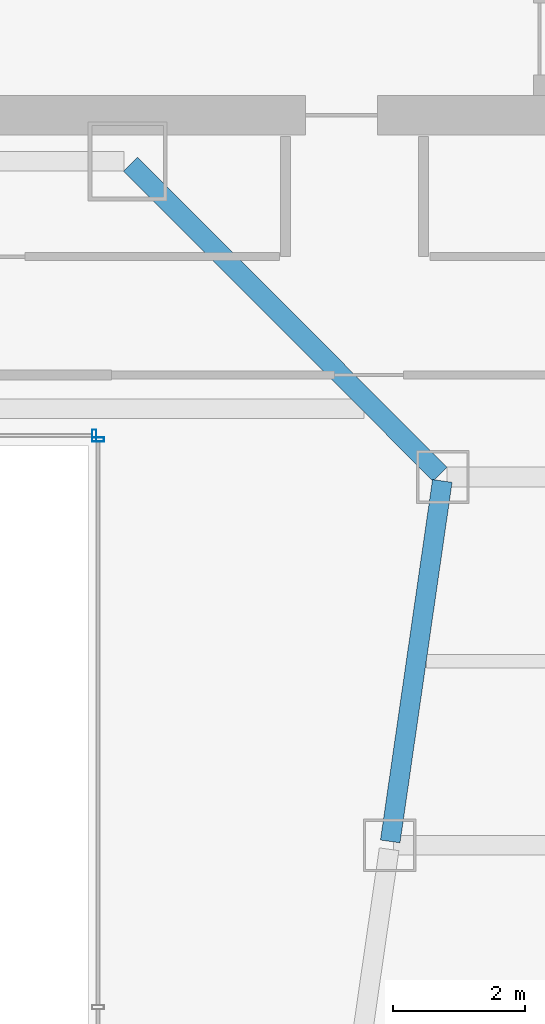
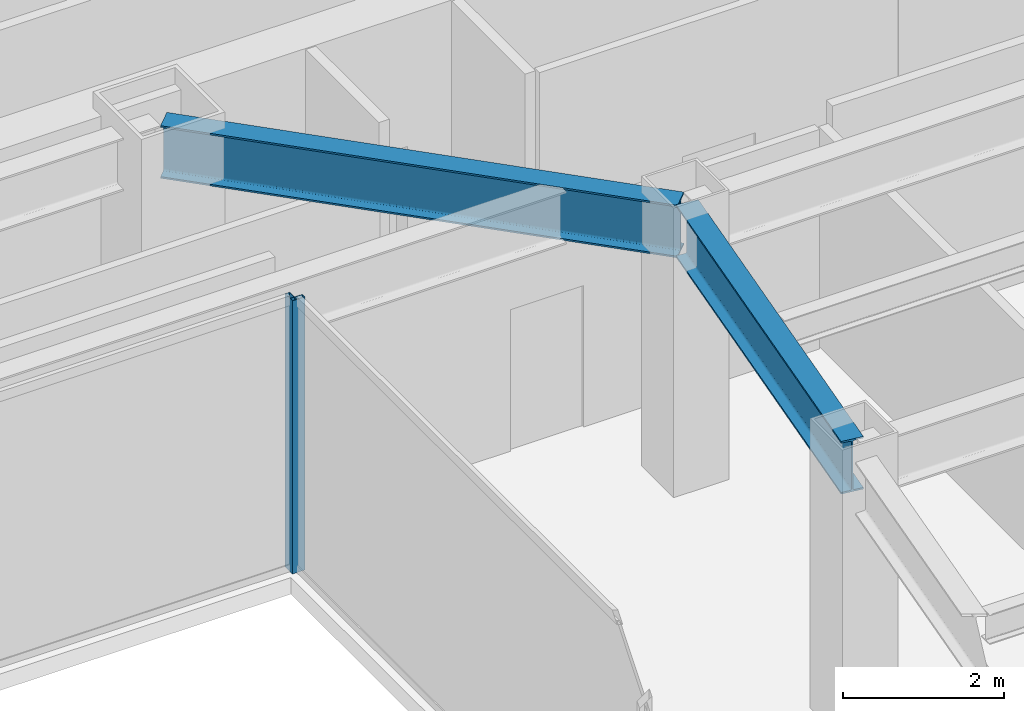
# One storey, part 29 of 47: 2 beams, 2 members, 2 elements without a shape of their own.
"""IFC4 building model written with IfcOpenShell, lengths in metres."""

from ifc_helpers import new_model, si_unit, direction, frame, origin, origin_2d, place, context, subcontext, project, spatial, hollow_rectangle, i_section, extrude, material, material_profile, profile_set, type_object, element, aggregate, save


model = new_model("IFC4")

# Units and contexts
model_context = context("Model", 3, precision=1e-05, world=origin(), true_north=direction((0.0, 1.0)))
body_context = subcontext(model_context, "Body", "Model", "MODEL_VIEW")
ifc_project = project(units=[si_unit("LENGTHUNIT", "METRE"), si_unit("AREAUNIT", "SQUARE_METRE"), si_unit("VOLUMEUNIT", "CUBIC_METRE"), si_unit("PLANEANGLEUNIT", "RADIAN"), si_unit("MASSUNIT", "GRAM", prefix="KILO")], contexts=[model_context])

# Site, building, storey
site_placement = place(None, origin())
site = spatial("IfcSite", under=ifc_project, at=site_placement, CompositionType="ELEMENT")
building_placement = place(site_placement, origin())
building = spatial("IfcBuilding", under=site, at=building_placement, Name="Saevonmaru Cultural Tower", CompositionType="ELEMENT")
storey_placement = place(building_placement, frame((0.0, 0.0, 42.800048828125)))
storey = spatial("IfcBuildingStorey", under=building, at=storey_placement, Name="L08", CompositionType="ELEMENT", Elevation=42.800048828125)

# Beams
ifc_material_1 = material(Name="Steel SM420", Category="steel")
ifc_material_profile_1 = material_profile(ifc_material_1, i_section(OverallWidth=0.300048828125, OverallDepth=0.800048828125, WebThickness=0.013916015625, FlangeThickness=0.02587890625, FilletRadius=0.028076171875, at=origin_2d()), Name="H-800x300x14x26")
ifc_profile_set_1 = profile_set([ifc_material_profile_1], Name="Steel SM420")
beam_type = type_object("IfcBeamType", Name="BM-G-H800", PredefinedType="BEAM", material=ifc_profile_set_1)
beam_1_placement = place(storey_placement, frame((40.3916015625, 32.059326171875, 3.75), z_axis=(0.142964121327, 0.989727871697, 0.0), x_axis=(-0.989727871697, 0.142964121327, 0.0)))
element("IfcBeam", 1, at=beam_1_placement, inside=storey, type_object=beam_type, Name="L08 East Atrium Girder 5", PredefinedType="BEAM", context=body_context, shape_type="SweptSolid", body=[
    extrude(i_section(OverallWidth=0.300048828125, OverallDepth=0.800048828125, WebThickness=0.013916015625, FlangeThickness=0.02587890625, FilletRadius=0.028076171875, at=origin_2d()), origin(), (0.0, 0.0, 1.0), 5.5380859375),
])
beam_2_placement = place(storey_placement, frame((41.149658203125, 37.642578125, 3.75), z_axis=(-0.706538566564, 0.707674539572, 0.0), x_axis=(-0.707674539572, -0.706538566564, 0.0)))
element("IfcBeam", 2, at=beam_2_placement, inside=storey, type_object=beam_type, Name="L08 East Atrium Girder 6", PredefinedType="BEAM", context=body_context, shape_type="SweptSolid", body=[
    extrude(i_section(OverallWidth=0.300048828125, OverallDepth=0.800048828125, WebThickness=0.013916015625, FlangeThickness=0.02587890625, FilletRadius=0.028076171875, at=origin_2d()), origin(), (0.0, 0.0, 1.0), 6.662353515625),
])

# Curtain wall, member
ifc_material_2 = material(Name="Satin Bronze Anodised Aluminium", Category="aluminium")
curtain_wall_type = type_object("IfcCurtainWallType", Name="CW-ATR-GLZ", PredefinedType="NOTDEFINED", material=ifc_material_2)
curtain_wall_1_placement = place(storey_placement, origin())
curtain_wall_1 = element("IfcCurtainWall", 3, at=curtain_wall_1_placement, inside=storey, type_object=curtain_wall_type, Name="L08 Vertical Atrium Glazed Smoke Screen 2", PredefinedType="NOTDEFINED")
ifc_material_profile_2 = material_profile(ifc_material_2, hollow_rectangle(XDim=0.06494140625, YDim=0.179931640625, WallThickness=0.00390625, at=origin_2d()), Name="ALU-MULL-180x65x4")
ifc_profile_set_2 = profile_set([ifc_material_profile_2], Name="Satin Bronze Anodised Aluminium")
member_type = type_object("IfcMemberType", Name="ML-CW-INT-180x65", PredefinedType="MULLION", material=ifc_profile_set_2)
member_1_placement = place(storey_placement, frame((35.949951171875, 38.169921875, 0.0), z_axis=(0.0, 0.0, 1.0), x_axis=(0.0, 1.0, 0.0)))
member_1 = element("IfcMember", 4, at=member_1_placement, type_object=member_type, Name="CW-ATR-L08-2 mullion 3", PredefinedType="MULLION", context=body_context, shape_type="SweptSolid", body=[
    extrude(hollow_rectangle(XDim=0.06494140625, YDim=0.179931640625, WallThickness=0.00390625, at=origin_2d()), origin(), (0.0, 0.0, 1.0), 4.14990234375),
])
aggregate(curtain_wall_1, [member_1])

curtain_wall_2_placement = place(storey_placement, origin())
curtain_wall_2 = element("IfcCurtainWall", 5, at=curtain_wall_2_placement, inside=storey, type_object=curtain_wall_type, Name="L08 Vertical Atrium Glazed Smoke Screen 3", PredefinedType="NOTDEFINED")
member_2_placement = place(storey_placement, frame((35.889892578125, 38.22998046875, 0.0), z_axis=(0.0, 0.0, 1.0), x_axis=(-1.0, 0.0, 0.0)))
member_2 = element("IfcMember", 6, at=member_2_placement, type_object=member_type, Name="CW-ATR-L08-3 mullion 1", PredefinedType="MULLION", context=body_context, shape_type="SweptSolid", body=[
    extrude(hollow_rectangle(XDim=0.06494140625, YDim=0.179931640625, WallThickness=0.00390625, at=origin_2d()), origin(), (0.0, 0.0, 1.0), 4.14990234375),
])
aggregate(curtain_wall_2, [member_2])

save(model, "model.ifc")
